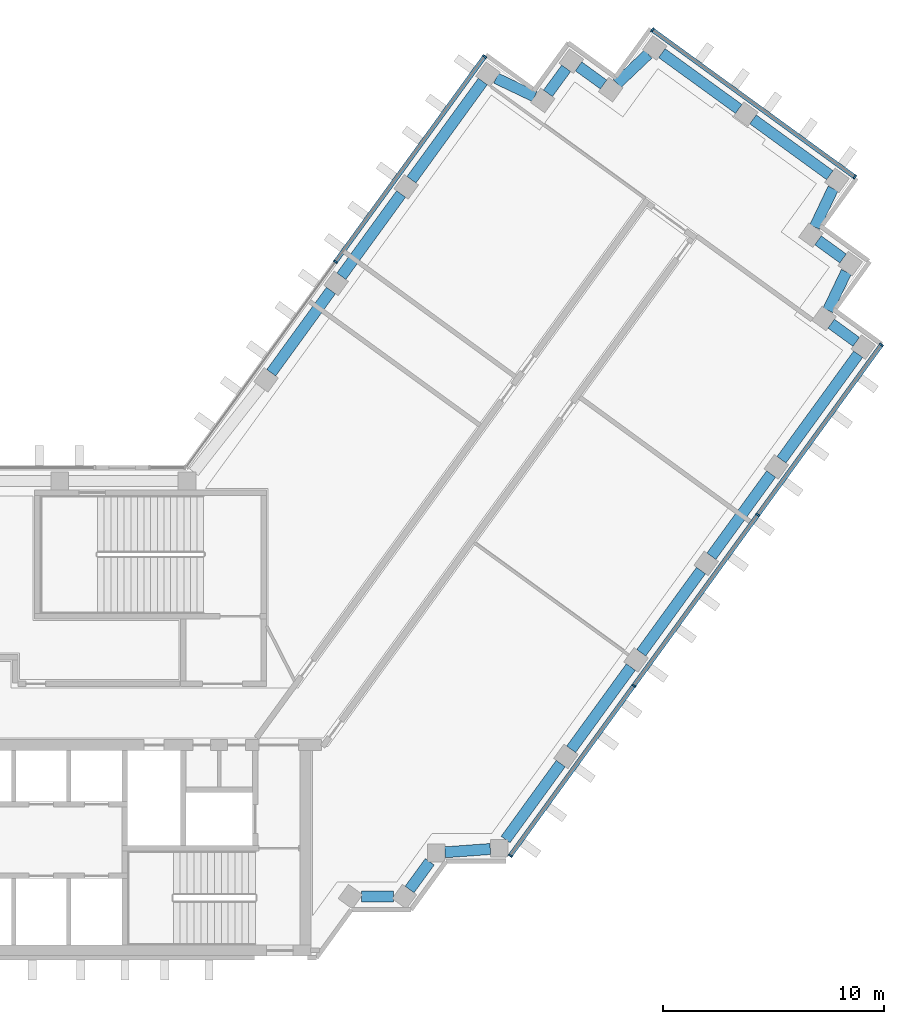
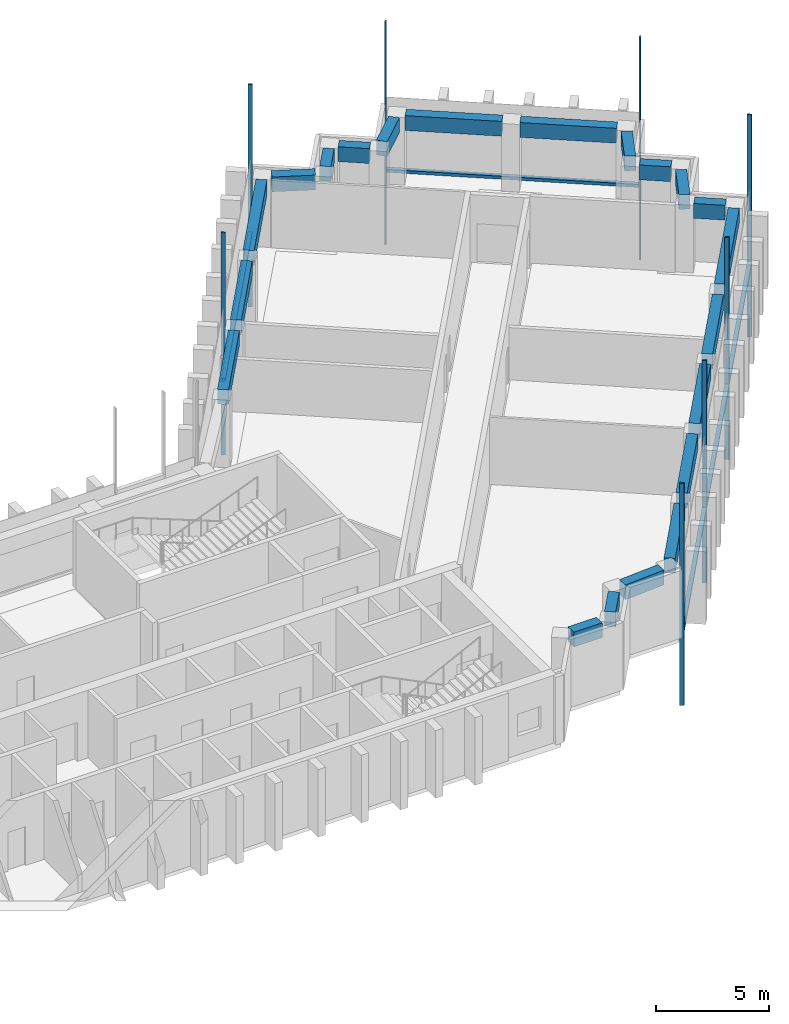
# One storey, part 5 of 13: 21 beams, 13 members, 3 elements without a shape of their own.
"""IFC4 building model written with IfcOpenShell, lengths in metres."""

from ifc_helpers import new_model, si_unit, direction, frame, origin, origin_2d, place, context, subcontext, project, spatial, rectangle, extrude, material, material_profile, profile_set, type_object, element, aggregate, save


model = new_model("IFC4")

# Units and contexts
model_context = context("Model", 3, precision=1e-05, world=origin(), true_north=direction((0.0, 1.0)))
body_context = subcontext(model_context, "Body", "Model", "MODEL_VIEW")
ifc_project = project(units=[si_unit("LENGTHUNIT", "METRE"), si_unit("AREAUNIT", "SQUARE_METRE"), si_unit("VOLUMEUNIT", "CUBIC_METRE"), si_unit("PLANEANGLEUNIT", "RADIAN"), si_unit("MASSUNIT", "GRAM", prefix="KILO")], contexts=[model_context])

# Site, building, storey
site_placement = place(None, origin())
site = spatial("IfcSite", under=ifc_project, at=site_placement, CompositionType="ELEMENT")
building_placement = place(site_placement, origin())
building = spatial("IfcBuilding", under=site, at=building_placement, Name="Quipu Civic Tower", CompositionType="ELEMENT")
storey_placement = place(building_placement, frame((0.0, 0.0, 148.0)))
storey = spatial("IfcBuildingStorey", under=building, at=storey_placement, Name="L34", CompositionType="ELEMENT", Elevation=148.0)

# Curtain wall, members
ifc_material_1 = material(Name="Insulated glass unit", Category="glass")
curtain_wall_type = type_object("IfcCurtainWallType", Name="Office curtain wall CW1", PredefinedType="NOTDEFINED", material=ifc_material_1)
curtain_wall_1_placement = place(storey_placement, origin())
curtain_wall_1 = element("IfcCurtainWall", 1, at=curtain_wall_1_placement, inside=storey, type_object=curtain_wall_type, Name="Office curtain wall CW1 L33 run 16", PredefinedType="NOTDEFINED")
ifc_material_2 = material(Name="Anodised aluminium", Category="aluminium")
ifc_material_profile_1 = material_profile(ifc_material_2, rectangle(XDim=0.199951171875, YDim=0.080078125, at=origin_2d()), Name="RECT 200x80")
ifc_profile_set_1 = profile_set([ifc_material_profile_1], Name="Anodised aluminium")
member_type_1 = type_object("IfcMemberType", Name="Mullion CW1", PredefinedType="MULLION", material=ifc_profile_set_1)
member_1_placement = place(storey_placement, frame((29.029296875, -6.45654296875, -3.919921875), z_axis=(0.0, 0.0, 1.0), x_axis=(-0.80901667469, 0.5877856923, 0.0)))
member_1 = element("IfcMember", 2, at=member_1_placement, type_object=member_type_1, Name="CW1 mullion 1", PredefinedType="MULLION", context=body_context, shape_type="SweptSolid", body=[
    extrude(rectangle(XDim=0.199951171875, YDim=0.080078125, at=origin_2d()), origin(), (0.0, 0.0, 1.0), 12.0),
])
member_2_placement = place(storey_placement, frame((34.620361328125, 1.23876953125, -3.919921875), z_axis=(0.0, 0.0, 1.0), x_axis=(-0.80901667469, 0.5877856923, 0.0)))
member_2 = element("IfcMember", 3, at=member_2_placement, type_object=member_type_1, Name="CW1 mullion 2", PredefinedType="MULLION", context=body_context, shape_type="SweptSolid", body=[
    extrude(rectangle(XDim=0.199951171875, YDim=0.080078125, at=origin_2d()), origin(), (0.0, 0.0, 1.0), 12.0),
])
member_3_placement = place(storey_placement, frame((40.23486328125, 8.966552734375, -3.919921875), z_axis=(0.0, 0.0, 1.0), x_axis=(-0.80901667469, 0.5877856923, 0.0)))
member_3 = element("IfcMember", 4, at=member_3_placement, type_object=member_type_1, Name="CW1 mullion 3", PredefinedType="MULLION", context=body_context, shape_type="SweptSolid", body=[
    extrude(rectangle(XDim=0.199951171875, YDim=0.080078125, at=origin_2d()), origin(), (0.0, 0.0, 1.0), 12.0),
])
member_4_placement = place(storey_placement, frame((45.825927734375, 16.661865234375, -3.919921875), z_axis=(0.0, 0.0, 1.0), x_axis=(-0.80901667469, 0.5877856923, 0.0)))
member_4 = element("IfcMember", 5, at=member_4_placement, type_object=member_type_1, Name="CW1 mullion 4", PredefinedType="MULLION", context=body_context, shape_type="SweptSolid", body=[
    extrude(rectangle(XDim=0.199951171875, YDim=0.080078125, at=origin_2d()), origin(), (0.0, 0.0, 1.0), 12.0),
])

curtain_wall_2_placement = place(storey_placement, origin())
curtain_wall_2 = element("IfcCurtainWall", 6, at=curtain_wall_2_placement, inside=storey, type_object=curtain_wall_type, Name="Office curtain wall CW1 L33 run 21", PredefinedType="NOTDEFINED")
member_5_placement = place(storey_placement, frame((44.62255859375, 24.260498046875, -3.919921875), z_axis=(0.0, 0.0, 1.0), x_axis=(-0.587787753918, -0.809015176832, 0.0)))
member_5 = element("IfcMember", 7, at=member_5_placement, type_object=member_type_1, Name="CW1 mullion 1", PredefinedType="MULLION", context=body_context, shape_type="SweptSolid", body=[
    extrude(rectangle(XDim=0.199951171875, YDim=0.080078125, at=origin_2d()), origin(), (0.0, 0.0, 1.0), 12.0),
])
member_6_placement = place(storey_placement, frame((35.46435546875, 30.914306640625, -3.919921875), z_axis=(0.0, 0.0, 1.0), x_axis=(-0.587787753918, -0.809015176832, 0.0)))
member_6 = element("IfcMember", 8, at=member_6_placement, type_object=member_type_1, Name="CW1 mullion 2", PredefinedType="MULLION", context=body_context, shape_type="SweptSolid", body=[
    extrude(rectangle(XDim=0.199951171875, YDim=0.080078125, at=origin_2d()), origin(), (0.0, 0.0, 1.0), 12.0),
])

curtain_wall_3_placement = place(storey_placement, origin())
curtain_wall_3 = element("IfcCurtainWall", 9, at=curtain_wall_3_placement, inside=storey, type_object=curtain_wall_type, Name="Office curtain wall CW1 L33 run 26", PredefinedType="NOTDEFINED")
member_7_placement = place(storey_placement, frame((27.865966796875, 29.7109375, -3.919921875), z_axis=(0.0, 0.0, 1.0), x_axis=(0.809014469803, -0.587788727052, 0.0)))
member_7 = element("IfcMember", 10, at=member_7_placement, type_object=member_type_1, Name="CW1 mullion 1", PredefinedType="MULLION", context=body_context, shape_type="SweptSolid", body=[
    extrude(rectangle(XDim=0.199951171875, YDim=0.080078125, at=origin_2d()), origin(), (0.0, 0.0, 1.0), 12.0),
])
member_8_placement = place(storey_placement, frame((21.11669921875, 20.421630859375, -3.919921875), z_axis=(0.0, 0.0, 1.0), x_axis=(0.809014469803, -0.587788727052, 0.0)))
member_8 = element("IfcMember", 11, at=member_8_placement, type_object=member_type_1, Name="CW1 mullion 2", PredefinedType="MULLION", context=body_context, shape_type="SweptSolid", body=[
    extrude(rectangle(XDim=0.199951171875, YDim=0.080078125, at=origin_2d()), origin(), (0.0, 0.0, 1.0), 12.0),
])

# Beams
ifc_material_3 = material(Name="Concrete C50/60", Category="concrete")
ifc_material_profile_2 = material_profile(ifc_material_3, rectangle(XDim=0.5, YDim=0.800048828125, at=origin_2d()), Name="RC500x800")
ifc_profile_set_2 = profile_set([ifc_material_profile_2], Name="Concrete C50/60")
beam_type = type_object("IfcBeamType", Name="Spandrel beam RC 500x800 C50/60", PredefinedType="SPANDREL", material=ifc_profile_set_2)
beam_1_placement = place(storey_placement, frame((22.2861328125, -8.31494140625, 3.25), z_axis=(1.0, 0.0, 0.0), x_axis=(0.0, 1.0, 0.0)))
element("IfcBeam", 12, at=beam_1_placement, inside=storey, type_object=beam_type, Name="Spandrel beam L34 J-Eo.1 to J-Eo.2", PredefinedType="SPANDREL", context=body_context, shape_type="SweptSolid", body=[
    extrude(rectangle(XDim=0.5, YDim=0.800048828125, at=origin_2d()), origin(), (0.0, 0.0, 1.0), 1.454345703125),
])
beam_2_placement = place(storey_placement, frame((24.470458984375, -7.991455078125, 3.25), z_axis=(0.588405601119, 0.808565920981, 0.0), x_axis=(-0.808565920981, 0.588405601119, 0.0)))
element("IfcBeam", 13, at=beam_2_placement, inside=storey, type_object=beam_type, Name="Spandrel beam L34 J-Eo.2 to J-Eo.3", PredefinedType="SPANDREL", context=body_context, shape_type="SweptSolid", body=[
    extrude(rectangle(XDim=0.5, YDim=0.800048828125, at=origin_2d()), origin(), (0.0, 0.0, 1.0), 1.55126953125),
])
beam_3_placement = place(storey_placement, frame((26.074462890625, -6.307861328125, 3.25), z_axis=(0.997372997143, 0.072436900614, 0.0), x_axis=(-0.072436900614, 0.997372997143, 0.0)))
element("IfcBeam", 14, at=beam_3_placement, inside=storey, type_object=beam_type, Name="Spandrel beam L34 J-Eo.3 to J-Eo.4", PredefinedType="SPANDREL", context=body_context, shape_type="SweptSolid", body=[
    extrude(rectangle(XDim=0.5, YDim=0.800048828125, at=origin_2d()), origin(), (0.0, 0.0, 1.0), 2.055908203125),
])
beam_4_placement = place(storey_placement, frame((28.815673828125, -5.72998046875, 3.25), z_axis=(0.58776850526, 0.809029161541, 0.0), x_axis=(-0.809029161541, 0.58776850526, 0.0)))
element("IfcBeam", 15, at=beam_4_placement, inside=storey, type_object=beam_type, Name="Spandrel beam L34 J-Eo.4 to E-OUT-01", PredefinedType="SPANDREL", context=body_context, shape_type="SweptSolid", body=[
    extrude(rectangle(XDim=0.5, YDim=0.800048828125, at=origin_2d()), origin(), (0.0, 0.0, 1.0), 4.249267578125),
])
beam_5_placement = place(storey_placement, frame((31.783447265625, -1.64501953125, 3.25), z_axis=(0.587796098864, 0.809009113768, 0.0), x_axis=(-0.809009113768, 0.587796098864, 0.0)))
element("IfcBeam", 16, at=beam_5_placement, inside=storey, type_object=beam_type, Name="Spandrel beam L34 E-OUT-01 to E-OUT-02", PredefinedType="SPANDREL", context=body_context, shape_type="SweptSolid", body=[
    extrude(rectangle(XDim=0.5, YDim=0.800048828125, at=origin_2d()), origin(), (0.0, 0.0, 1.0), 4.60009765625),
])
beam_6_placement = place(storey_placement, frame((34.95751953125, 2.7236328125, 3.25), z_axis=(0.58776136044, 0.809034352283, 0.0), x_axis=(-0.809034352283, 0.58776136044, 0.0)))
element("IfcBeam", 17, at=beam_6_placement, inside=storey, type_object=beam_type, Name="Spandrel beam L34 E-OUT-02 to E-OUT-03", PredefinedType="SPANDREL", context=body_context, shape_type="SweptSolid", body=[
    extrude(rectangle(XDim=0.5, YDim=0.800048828125, at=origin_2d()), origin(), (0.0, 0.0, 1.0), 4.599853515625),
])
beam_7_placement = place(storey_placement, frame((38.13134765625, 7.09228515625, 3.25), z_axis=(0.587770861189, 0.809027449928, 0.0), x_axis=(-0.809027449928, 0.587770861189, 0.0)))
element("IfcBeam", 18, at=beam_7_placement, inside=storey, type_object=beam_type, Name="Spandrel beam L34 E-OUT-03 to E-OUT-04", PredefinedType="SPANDREL", context=body_context, shape_type="SweptSolid", body=[
    extrude(rectangle(XDim=0.5, YDim=0.800048828125, at=origin_2d()), origin(), (0.0, 0.0, 1.0), 4.60009765625),
])
beam_8_placement = place(storey_placement, frame((41.305419921875, 11.461181640625, 3.25), z_axis=(0.58780026889, 0.809006083965, 0.0), x_axis=(-0.809006083965, 0.58780026889, 0.0)))
element("IfcBeam", 19, at=beam_8_placement, inside=storey, type_object=beam_type, Name="Spandrel beam L34 E-OUT-04 to T-Eo.0-E34", PredefinedType="SPANDREL", context=body_context, shape_type="SweptSolid", body=[
    extrude(rectangle(XDim=0.5, YDim=0.800048828125, at=origin_2d()), origin(), (0.0, 0.0, 1.0), 5.902587890625),
])
beam_9_placement = place(storey_placement, frame((44.6865234375, 16.79541015625, 3.25), z_axis=(-0.808600329101, 0.588358315805, 0.0), x_axis=(-0.588358315805, -0.808600329101, 0.0)))
element("IfcBeam", 20, at=beam_9_placement, inside=storey, type_object=beam_type, Name="Spandrel beam L34 T-Eo.0-E34 to T-Eo.1-E34", PredefinedType="SPANDREL", context=body_context, shape_type="SweptSolid", body=[
    extrude(rectangle(XDim=0.5, YDim=0.800048828125, at=origin_2d()), origin(), (0.0, 0.0, 1.0), 1.400146484375),
])
beam_10_placement = place(storey_placement, frame((43.40625, 18.2216796875, 3.25), z_axis=(0.430785642718, 0.902454281406, 0.0), x_axis=(-0.902454281406, 0.430785642718, 0.0)))
element("IfcBeam", 21, at=beam_10_placement, inside=storey, type_object=beam_type, Name="Spandrel beam L34 T-Eo.1-E34 to T-Eo.2-E34", PredefinedType="SPANDREL", context=body_context, shape_type="SweptSolid", body=[
    extrude(rectangle(XDim=0.5, YDim=0.800048828125, at=origin_2d()), origin(), (0.0, 0.0, 1.0), 1.934814453125),
])
beam_11_placement = place(storey_placement, frame((44.09130859375, 20.56982421875, 3.25), z_axis=(-0.809467380413, 0.587164849125, 0.0), x_axis=(-0.587164849125, -0.809467380413, 0.0)))
element("IfcBeam", 22, at=beam_11_placement, inside=storey, type_object=beam_type, Name="Spandrel beam L34 T-Eo.2-E34 to T-Eo.3-E34", PredefinedType="SPANDREL", context=body_context, shape_type="SweptSolid", body=[
    extrude(rectangle(XDim=0.5, YDim=0.800048828125, at=origin_2d()), origin(), (0.0, 0.0, 1.0), 1.399169921875),
])
beam_12_placement = place(storey_placement, frame((42.809814453125, 21.99365234375, 3.25), z_axis=(0.429889421342, 0.902881545618, 0.0), x_axis=(-0.902881545618, 0.429889421342, 0.0)))
element("IfcBeam", 23, at=beam_12_placement, inside=storey, type_object=beam_type, Name="Spandrel beam L34 T-Eo.3-E34 to T-Eo.4-E34", PredefinedType="SPANDREL", context=body_context, shape_type="SweptSolid", body=[
    extrude(rectangle(XDim=0.5, YDim=0.800048828125, at=origin_2d()), origin(), (0.0, 0.0, 1.0), 1.931396484375),
])
beam_13_placement = place(storey_placement, frame((43.491455078125, 24.340087890625, 3.25), z_axis=(-0.808947267178, 0.587881211578, 0.0), x_axis=(-0.587881211578, -0.808947267178, 0.0)))
element("IfcBeam", 24, at=beam_13_placement, inside=storey, type_object=beam_type, Name="Spandrel beam L34 T-Eo.4-E34 to TIP-E-01-E34", PredefinedType="SPANDREL", context=body_context, shape_type="SweptSolid", body=[
    extrude(rectangle(XDim=0.5, YDim=0.800048828125, at=origin_2d()), origin(), (0.0, 0.0, 1.0), 4.29833984375),
])
beam_14_placement = place(storey_placement, frame((39.3671875, 27.337158203125, 3.25), z_axis=(-0.808983997561, 0.58783066583, 0.0), x_axis=(-0.58783066583, -0.808983997561, 0.0)))
element("IfcBeam", 25, at=beam_14_placement, inside=storey, type_object=beam_type, Name="Spandrel beam L34 TIP-E-01-E34 to T-Ei.0-E34", PredefinedType="SPANDREL", context=body_context, shape_type="SweptSolid", body=[
    extrude(rectangle(XDim=0.5, YDim=0.800048828125, at=origin_2d()), origin(), (0.0, 0.0, 1.0), 4.2998046875),
])
beam_15_placement = place(storey_placement, frame((35.27001953125, 29.81982421875, 3.25), z_axis=(-0.72519185421, -0.68854685722, 0.0), x_axis=(0.68854685722, -0.72519185421, 0.0)))
element("IfcBeam", 26, at=beam_15_placement, inside=storey, type_object=beam_type, Name="Spandrel beam L34 T-Ei.0-E34 to T-Ei.1-E34", PredefinedType="SPANDREL", context=body_context, shape_type="SweptSolid", body=[
    extrude(rectangle(XDim=0.5, YDim=0.800048828125, at=origin_2d()), origin(), (0.0, 0.0, 1.0), 1.93212890625),
])
beam_16_placement = place(storey_placement, frame((33.250244140625, 28.4443359375, 3.25), z_axis=(-0.80941533633, 0.587236590578, 0.0), x_axis=(-0.587236590578, -0.80941533633, 0.0)))
element("IfcBeam", 27, at=beam_16_placement, inside=storey, type_object=beam_type, Name="Spandrel beam L34 T-Ei.1-E34 to T-Ei.2-E34", PredefinedType="SPANDREL", context=body_context, shape_type="SweptSolid", body=[
    extrude(rectangle(XDim=0.5, YDim=0.800048828125, at=origin_2d()), origin(), (0.0, 0.0, 1.0), 1.397705078125),
])
beam_17_placement = place(storey_placement, frame((31.559326171875, 29.1767578125, 3.25), z_axis=(-0.589342949835, -0.80788296645, 0.0), x_axis=(0.80788296645, -0.589342949835, 0.0)))
element("IfcBeam", 28, at=beam_17_placement, inside=storey, type_object=beam_type, Name="Spandrel beam L34 T-Ei.2-E34 to T-Ei.3-E34", PredefinedType="SPANDREL", context=body_context, shape_type="SweptSolid", body=[
    extrude(rectangle(XDim=0.5, YDim=0.800048828125, at=origin_2d()), origin(), (0.0, 0.0, 1.0), 1.39990234375),
])
beam_18_placement = place(storey_placement, frame((30.131591796875, 27.89794921875, 3.25), z_axis=(-0.902584802379, 0.430512107279, 0.0), x_axis=(-0.430512107279, -0.902584802379, 0.0)))
element("IfcBeam", 29, at=beam_18_placement, inside=storey, type_object=beam_type, Name="Spandrel beam L34 T-Ei.3-E34 to T-Ei.4-E34", PredefinedType="SPANDREL", context=body_context, shape_type="SweptSolid", body=[
    extrude(rectangle(XDim=0.5, YDim=0.800048828125, at=origin_2d()), origin(), (0.0, 0.0, 1.0), 1.9326171875),
])
beam_19_placement = place(storey_placement, frame((27.784912109375, 28.581298828125, 3.25), z_axis=(-0.587664254196, -0.809104890815, 0.0), x_axis=(0.809104890815, -0.587664254196, 0.0)))
element("IfcBeam", 30, at=beam_19_placement, inside=storey, type_object=beam_type, Name="Spandrel beam L34 T-Ei.4-E34 to E-IN-03", PredefinedType="SPANDREL", context=body_context, shape_type="SweptSolid", body=[
    extrude(rectangle(XDim=0.5, YDim=0.800048828125, at=origin_2d()), origin(), (0.0, 0.0, 1.0), 5.493896484375),
])
beam_20_placement = place(storey_placement, frame((24.086181640625, 23.489013671875, 3.25), z_axis=(-0.587736122681, -0.809052686848, 0.0), x_axis=(0.809052686848, -0.587736122681, 0.0)))
element("IfcBeam", 31, at=beam_20_placement, inside=storey, type_object=beam_type, Name="Spandrel beam L34 E-IN-03 to E-IN-02", PredefinedType="SPANDREL", context=body_context, shape_type="SweptSolid", body=[
    extrude(rectangle(XDim=0.5, YDim=0.800048828125, at=origin_2d()), origin(), (0.0, 0.0, 1.0), 4.60009765625),
])
beam_21_placement = place(storey_placement, frame((20.912353515625, 19.1201171875, 3.25), z_axis=(-0.58776136044, -0.809034352283, 0.0), x_axis=(0.809034352283, -0.58776136044, 0.0)))
element("IfcBeam", 32, at=beam_21_placement, inside=storey, type_object=beam_type, Name="Spandrel beam L34 E-IN-02 to E-IN-01", PredefinedType="SPANDREL", context=body_context, shape_type="SweptSolid", body=[
    extrude(rectangle(XDim=0.5, YDim=0.800048828125, at=origin_2d()), origin(), (0.0, 0.0, 1.0), 4.599853515625),
])

# Member
ifc_material_4 = material(Name="Anodised aluminium", Category="aluminium")
ifc_material_profile_3 = material_profile(ifc_material_4, rectangle(XDim=0.199951171875, YDim=0.159912109375, at=origin_2d()), Name="RECT 200x160")
ifc_profile_set_3 = profile_set([ifc_material_profile_3], Name="Anodised aluminium")
member_type_2 = type_object("IfcMemberType", Name="Transom CW1", PredefinedType="USERDEFINED", material=ifc_profile_set_3)
member_9_placement = place(storey_placement, frame((29.052978515625, -6.424072265625, 0.080078125), z_axis=(0.587783783239, 0.809018061703, 0.0), x_axis=(-0.809018061703, 0.587783783239, 0.0)))
member_9 = element("IfcMember", 33, at=member_9_placement, type_object=member_type_2, Name="CW1 transom 1.2", ObjectType="TRANSOM", PredefinedType="USERDEFINED", context=body_context, shape_type="SweptSolid", body=[
    extrude(rectangle(XDim=0.199951171875, YDim=0.159912109375, at=origin_2d()), origin(), (0.0, 0.0, 1.0), 9.431884765625),
])

member_10_placement = place(storey_placement, frame((34.64404296875, 1.271240234375, 0.080078125), z_axis=(0.587773158676, 0.809025780763, 0.0), x_axis=(-0.809025780763, 0.587773158676, 0.0)))
member_10 = element("IfcMember", 34, at=member_10_placement, type_object=member_type_2, Name="CW1 transom 2.2", ObjectType="TRANSOM", PredefinedType="USERDEFINED", context=body_context, shape_type="SweptSolid", body=[
    extrude(rectangle(XDim=0.199951171875, YDim=0.159912109375, at=origin_2d()), origin(), (0.0, 0.0, 1.0), 9.471923828125),
])

member_11_placement = place(storey_placement, frame((40.258544921875, 8.9990234375, 0.080078125), z_axis=(0.587783783239, 0.809018061703, 0.0), x_axis=(-0.809018061703, 0.587783783239, 0.0)))
member_11 = element("IfcMember", 35, at=member_11_placement, type_object=member_type_2, Name="CW1 transom 3.2", ObjectType="TRANSOM", PredefinedType="USERDEFINED", context=body_context, shape_type="SweptSolid", body=[
    extrude(rectangle(XDim=0.199951171875, YDim=0.159912109375, at=origin_2d()), origin(), (0.0, 0.0, 1.0), 9.431884765625),
])

aggregate(curtain_wall_1, [member_1, member_2, member_3, member_4, member_9, member_10, member_11])

member_12_placement = place(storey_placement, frame((44.590087890625, 24.2841796875, 0.080078125), z_axis=(-0.809014959561, 0.587788052963, 0.0), x_axis=(-0.587788052963, -0.809014959561, 0.0)))
member_12 = element("IfcMember", 36, at=member_12_placement, type_object=member_type_2, Name="CW1 transom 1.2", ObjectType="TRANSOM", PredefinedType="USERDEFINED", context=body_context, shape_type="SweptSolid", body=[
    extrude(rectangle(XDim=0.199951171875, YDim=0.159912109375, at=origin_2d()), origin(), (0.0, 0.0, 1.0), 11.239990234375),
])

aggregate(curtain_wall_2, [member_5, member_6, member_12])

member_13_placement = place(storey_placement, frame((27.84228515625, 29.678466796875, 0.080078125), z_axis=(-0.587775682251, -0.809023947331, 0.0), x_axis=(0.809023947331, -0.587775682251, 0.0)))
member_13 = element("IfcMember", 37, at=member_13_placement, type_object=member_type_2, Name="CW1 transom 1.2", ObjectType="TRANSOM", PredefinedType="USERDEFINED", context=body_context, shape_type="SweptSolid", body=[
    extrude(rectangle(XDim=0.199951171875, YDim=0.159912109375, at=origin_2d()), origin(), (0.0, 0.0, 1.0), 11.402099609375),
])

aggregate(curtain_wall_3, [member_7, member_8, member_13])

save(model, "model.ifc")
